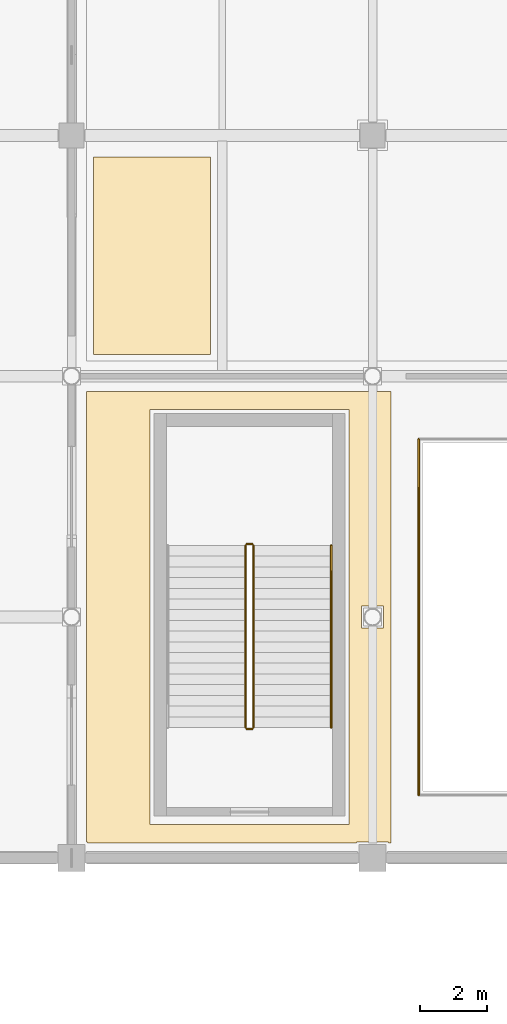
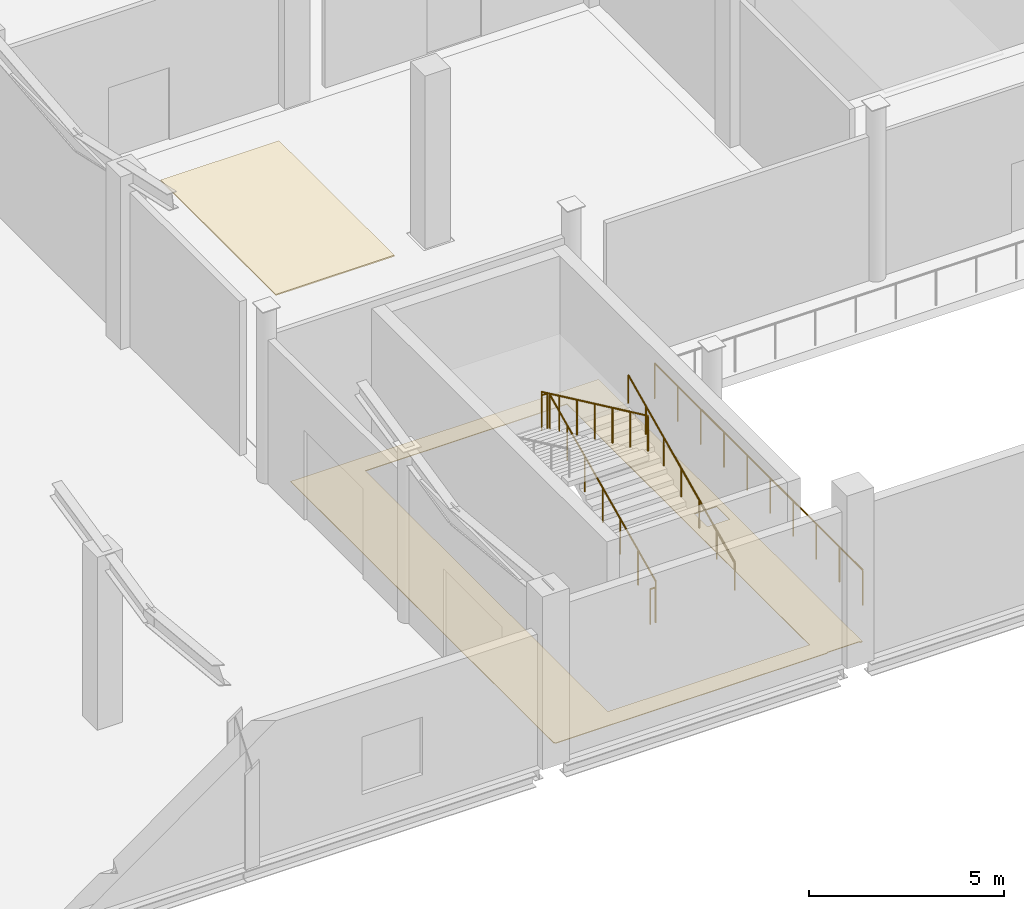
# One storey, part 161 of 189: 6 railings, 2 coverings.
"""IFC4 building model written with IfcOpenShell, lengths in metres."""

from ifc_helpers import new_model, si_unit, direction, frame, origin, origin_2d, place, context, subcontext, project, spatial, polyline, circle, outline, extrude, material, layer, layer_set, type_object, element, save


model = new_model("IFC4")

# Units and contexts
model_context = context("Model", 3, precision=1e-05, world=origin(), true_north=direction((0.0, 1.0)))
body_context = subcontext(model_context, "Body", "Model", "MODEL_VIEW")
ifc_project = project(units=[si_unit("LENGTHUNIT", "METRE"), si_unit("AREAUNIT", "SQUARE_METRE"), si_unit("VOLUMEUNIT", "CUBIC_METRE"), si_unit("PLANEANGLEUNIT", "RADIAN"), si_unit("MASSUNIT", "GRAM", prefix="KILO")], contexts=[model_context])

# Site, building, storey
site_placement = place(None, origin())
site = spatial("IfcSite", under=ifc_project, at=site_placement, CompositionType="ELEMENT")
building_placement = place(site_placement, origin())
building = spatial("IfcBuilding", under=site, at=building_placement, Name="Celestram Park Convention Centre", CompositionType="ELEMENT")
storey_placement = place(building_placement, frame((0.0, 0.0, 5.39990234375)))
storey = spatial("IfcBuildingStorey", under=building, at=storey_placement, Name="L01", CompositionType="ELEMENT", Elevation=5.39990234375)

# Coverings
ifc_material_1 = material(Name="Perforated Acoustic Mineral-Fibre Baffle Ceiling", Category="gypsum")
ifc_layer_1 = layer(ifc_material_1, 0.0400390625)
ifc_layer_set_1 = layer_set([ifc_layer_1], Name="Perforated Acoustic Mineral-Fibre Baffle Ceiling")
covering_type_1 = type_object("IfcCoveringType", Name="ARC-COV-CLG040", PredefinedType="CEILING", material=ifc_layer_set_1)
covering_1_placement = place(storey_placement, frame((0.0, 0.0, 5.080078125)))
element("IfcCovering", 1, at=covering_1_placement, inside=storey, type_object=covering_type_1, Name="Breakout Seminar Room 101 acoustic baffle ceiling", PredefinedType="CEILING", context=body_context, shape_type="SweptSolid", body=[
    extrude(outline(polyline([(36.64990234375, 123.050048828125), (40.14990234375, 123.050048828125), (40.14990234375, 128.949951171875), (36.64990234375, 128.949951171875), (36.64990234375, 123.050048828125)])), origin(), (0.0, 0.0, 1.0), 0.0400390625),
])
ifc_material_2 = material(Name="Polished Lakefront Aggregate Terrazzo Flooring", Category="concrete")
ifc_layer_2 = layer(ifc_material_2, 0.02001953125)
ifc_layer_set_2 = layer_set([ifc_layer_2], Name="Polished Lakefront Aggregate Terrazzo Flooring")
covering_type_2 = type_object("IfcCoveringType", Name="ARC-COV-FLR020", PredefinedType="FLOORING", material=ifc_layer_set_2)
covering_2_placement = place(storey_placement, origin())
element("IfcCovering", 2, at=covering_2_placement, inside=storey, type_object=covering_type_2, Name="Winter-Garden Concourse West terrazzo flooring", PredefinedType="FLOORING", context=body_context, shape_type="SweptSolid", body=[
    extrude(outline(polyline([(45.550048828125, 121.949951171875), (45.550048828125, 108.449951171875), (45.47802734375, 108.449951171875), (45.47802734375, 108.47802734375), (44.52197265625, 108.47802734375), (44.52197265625, 108.449951171875), (36.47802734375, 108.449951171875), (36.47802734375, 108.47802734375), (36.449951171875, 108.47802734375), (36.449951171875, 121.949951171875), (45.550048828125, 121.949951171875)]), holes=[polyline([(44.300048828125, 121.39990234375), (38.340087890625, 121.39990234375), (38.340087890625, 109.0), (44.300048828125, 109.0), (44.300048828125, 121.39990234375)]), polyline([(45.330078125, 114.8701171875), (45.330078125, 115.530029296875), (44.669921875, 115.530029296875), (44.669921875, 114.8701171875), (45.330078125, 114.8701171875)])]), origin(), (0.0, 0.0, 1.0), 0.02001953125),
])

# Railings
ifc_material_3 = material(Name="Stainless Steel AISI 316L & Laminated Glass", Category="steel")
ifc_layer_3 = layer(ifc_material_3, 0.06005859375)
ifc_layer_set_3 = layer_set([ifc_layer_3], Name="Stainless Steel AISI 316L & Laminated Glass")
railing_type_1 = type_object("IfcRailingType", Name="ARC-RL-GRD1120", PredefinedType="GUARDRAIL", material=ifc_layer_set_3)
railing_1_placement = place(storey_placement, frame((46.3798828125, 120.52001953125, 0.0)))
element("IfcRailing", 3, at=railing_1_placement, inside=storey, type_object=railing_type_1, Name="Atrium/balcony balustrade RL-L01-VB022", PredefinedType="GUARDRAIL", context=body_context, shape_type="SweptSolid", body=[
    extrude(circle(Radius=0.02392578125, at=origin_2d()), frame((0.0, 0.0, 1.09619140625), z_axis=(0.0, -1.0, 0.0), x_axis=(1.0, 0.0, 0.0)), (0.0, 0.0, 1.0), 10.64013671875),
    extrude(circle(Radius=0.02099609375, at=origin_2d()), origin(), (0.0, 0.0, 1.0), 1.072021484375),
    extrude(circle(Radius=0.02099609375, at=origin_2d()), frame((0.0, -1.18212890625, 0.0)), (0.0, 0.0, 1.0), 1.072021484375),
    extrude(circle(Radius=0.02099609375, at=origin_2d()), frame((0.0, -2.364501953125, 0.0)), (0.0, 0.0, 1.0), 1.072021484375),
    extrude(circle(Radius=0.02099609375, at=origin_2d()), frame((0.0, -3.546630859375, 0.0)), (0.0, 0.0, 1.0), 1.072021484375),
    extrude(circle(Radius=0.02099609375, at=origin_2d()), frame((0.0, -4.72900390625, 0.0)), (0.0, 0.0, 1.0), 1.072021484375),
    extrude(circle(Radius=0.02099609375, at=origin_2d()), frame((0.0, -5.9111328125, 0.0)), (0.0, 0.0, 1.0), 1.072021484375),
    extrude(circle(Radius=0.02099609375, at=origin_2d()), frame((0.0, -7.093505859375, 0.0)), (0.0, 0.0, 1.0), 1.072021484375),
    extrude(circle(Radius=0.02099609375, at=origin_2d()), frame((0.0, -8.275634765625, 0.0)), (0.0, 0.0, 1.0), 1.072021484375),
    extrude(circle(Radius=0.02099609375, at=origin_2d()), frame((0.0, -9.4580078125, 0.0)), (0.0, 0.0, 1.0), 1.072021484375),
    extrude(circle(Radius=0.02099609375, at=origin_2d()), frame((0.0, -10.64013671875, 0.0)), (0.0, 0.0, 1.0), 1.072021484375),
])
railing_2_placement = place(storey_placement, frame((41.43603515625, 111.89990234375, 0.150146484375)))
element("IfcRailing", 4, at=railing_2_placement, inside=storey, type_object=railing_type_1, Name="L01 ST-13 stair guard 1", PredefinedType="GUARDRAIL", context=body_context, shape_type="SweptSolid", body=[
    extrude(circle(Radius=0.02392578125, at=origin_2d()), frame((0.0, 0.0, 1.09619140625), z_axis=(0.0, 0.905461375974, 0.424428670827), x_axis=(-1.0, 0.0, 0.0)), (0.0, 0.0, 1.0), 6.00830078125),
    extrude(circle(Radius=0.02099609375, at=origin_2d()), origin(), (0.0, 0.0, 1.0), 1.072021484375),
    extrude(circle(Radius=0.02099609375, at=origin_2d()), frame((0.0, 0.90673828125, 0.425048828125)), (0.0, 0.0, 1.0), 1.072021484375),
    extrude(circle(Radius=0.02099609375, at=origin_2d()), frame((0.0, 1.8134765625, 0.85009765625)), (0.0, 0.0, 1.0), 1.072021484375),
    extrude(circle(Radius=0.02099609375, at=origin_2d()), frame((0.0, 2.72021484375, 1.27490234375)), (0.0, 0.0, 1.0), 1.072021484375),
    extrude(circle(Radius=0.02099609375, at=origin_2d()), frame((0.0, 3.626708984375, 1.699951171875)), (0.0, 0.0, 1.0), 1.072021484375),
    extrude(circle(Radius=0.02099609375, at=origin_2d()), frame((0.0, 4.533447265625, 2.125)), (0.0, 0.0, 1.0), 1.072021484375),
    extrude(circle(Radius=0.02099609375, at=origin_2d()), frame((0.0, 5.440185546875, 2.550048828125)), (0.0, 0.0, 1.0), 1.072021484375),
])
railing_3_placement = place(storey_placement, frame((41.39990234375, 117.389892578125, 2.7001953125)))
element("IfcRailing", 5, at=railing_3_placement, inside=storey, type_object=railing_type_1, Name="L01 ST-13 stair guard 2", PredefinedType="GUARDRAIL", context=body_context, shape_type="SweptSolid", body=[
    extrude(circle(Radius=0.02392578125, at=origin_2d()), frame((0.0, 0.0, 1.09619140625), z_axis=(-1.0, 0.0, 0.0), x_axis=(0.0, -1.0, 0.0)), (0.0, 0.0, 1.0), 0.159912109375),
    extrude(circle(Radius=0.02099609375, at=origin_2d()), origin(), (0.0, 0.0, 1.0), 1.072021484375),
    extrude(circle(Radius=0.02099609375, at=origin_2d()), frame((-0.159912109375, 0.0, 0.0)), (0.0, 0.0, 1.0), 1.072021484375),
])
railing_4_placement = place(storey_placement, frame((41.2041015625, 117.340087890625, 2.85009765625)))
element("IfcRailing", 6, at=railing_4_placement, inside=storey, type_object=railing_type_1, Name="L01 ST-13 stair guard 3", PredefinedType="GUARDRAIL", context=body_context, shape_type="SweptSolid", body=[
    extrude(circle(Radius=0.02392578125, at=origin_2d()), frame((0.0, 0.0, 1.09619140625), z_axis=(0.0, -0.905461375974, 0.424428670827), x_axis=(1.0, 0.0, 0.0)), (0.0, 0.0, 1.0), 6.00830078125),
    extrude(circle(Radius=0.02099609375, at=origin_2d()), origin(), (0.0, 0.0, 1.0), 1.072021484375),
    extrude(circle(Radius=0.02099609375, at=origin_2d()), frame((0.0, -0.90673828125, 0.425048828125)), (0.0, 0.0, 1.0), 1.072021484375),
    extrude(circle(Radius=0.02099609375, at=origin_2d()), frame((0.0, -1.8134765625, 0.85009765625)), (0.0, 0.0, 1.0), 1.072021484375),
    extrude(circle(Radius=0.02099609375, at=origin_2d()), frame((0.0, -2.72021484375, 1.27490234375)), (0.0, 0.0, 1.0), 1.072021484375),
    extrude(circle(Radius=0.02099609375, at=origin_2d()), frame((0.0, -3.626708984375, 1.699951171875)), (0.0, 0.0, 1.0), 1.072021484375),
    extrude(circle(Radius=0.02099609375, at=origin_2d()), frame((0.0, -4.533447265625, 2.125)), (0.0, 0.0, 1.0), 1.072021484375),
    extrude(circle(Radius=0.02099609375, at=origin_2d()), frame((0.0, -5.440185546875, 2.550048828125)), (0.0, 0.0, 1.0), 1.072021484375),
])
railing_5_placement = place(storey_placement, frame((41.39990234375, 111.85009765625, 0.0)))
element("IfcRailing", 7, at=railing_5_placement, inside=storey, type_object=railing_type_1, Name="L01 ST-13 stair guard 4", PredefinedType="GUARDRAIL", context=body_context, shape_type="SweptSolid", body=[
    extrude(circle(Radius=0.02392578125, at=origin_2d()), frame((0.0, 0.0, 1.09619140625), z_axis=(-1.0, 0.0, 0.0), x_axis=(0.0, -1.0, 0.0)), (0.0, 0.0, 1.0), 0.159912109375),
    extrude(circle(Radius=0.02099609375, at=origin_2d()), origin(), (0.0, 0.0, 1.0), 1.072021484375),
    extrude(circle(Radius=0.02099609375, at=origin_2d()), frame((-0.159912109375, 0.0, 0.0)), (0.0, 0.0, 1.0), 1.072021484375),
])
ifc_material_4 = material(Name="Brushed Stainless Steel AISI 304", Category="steel")
ifc_layer_4 = layer(ifc_material_4, 0.048095703125)
ifc_layer_set_4 = layer_set([ifc_layer_4], Name="Brushed Stainless Steel AISI 304")
railing_type_2 = type_object("IfcRailingType", Name="ARC-RL-HND915", PredefinedType="HANDRAIL", material=ifc_layer_set_4)
railing_6_placement = place(storey_placement, frame((43.763916015625, 111.89990234375, 0.150146484375)))
element("IfcRailing", 8, at=railing_6_placement, inside=storey, type_object=railing_type_2, Name="L01 ST-13 stair handrail 1", PredefinedType="HANDRAIL", context=body_context, shape_type="SweptSolid", body=[
    extrude(circle(Radius=0.02392578125, at=origin_2d()), frame((0.0, 0.0, 0.8759765625), z_axis=(0.0, 0.905461375974, 0.424428670827), x_axis=(-1.0, 0.0, 0.0)), (0.0, 0.0, 1.0), 6.00830078125),
    extrude(circle(Radius=0.02099609375, at=origin_2d()), origin(), (0.0, 0.0, 1.0), 0.851806640625),
    extrude(circle(Radius=0.02099609375, at=origin_2d()), frame((0.0, 0.90673828125, 0.425048828125)), (0.0, 0.0, 1.0), 0.851806640625),
    extrude(circle(Radius=0.02099609375, at=origin_2d()), frame((0.0, 1.8134765625, 0.85009765625)), (0.0, 0.0, 1.0), 0.851806640625),
    extrude(circle(Radius=0.02099609375, at=origin_2d()), frame((0.0, 2.72021484375, 1.27490234375)), (0.0, 0.0, 1.0), 0.851806640625),
    extrude(circle(Radius=0.02099609375, at=origin_2d()), frame((0.0, 3.626708984375, 1.699951171875)), (0.0, 0.0, 1.0), 0.851806640625),
    extrude(circle(Radius=0.02099609375, at=origin_2d()), frame((0.0, 4.533447265625, 2.125)), (0.0, 0.0, 1.0), 0.851806640625),
    extrude(circle(Radius=0.02099609375, at=origin_2d()), frame((0.0, 5.440185546875, 2.550048828125)), (0.0, 0.0, 1.0), 0.851806640625),
])

save(model, "model.ifc")
